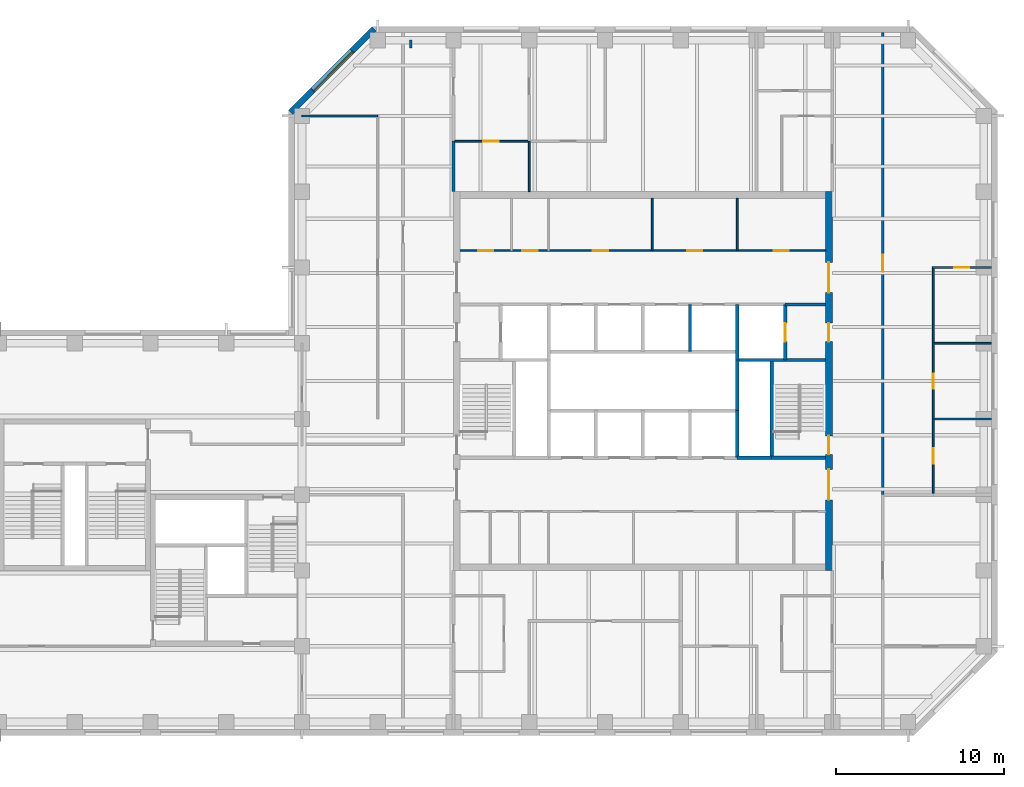
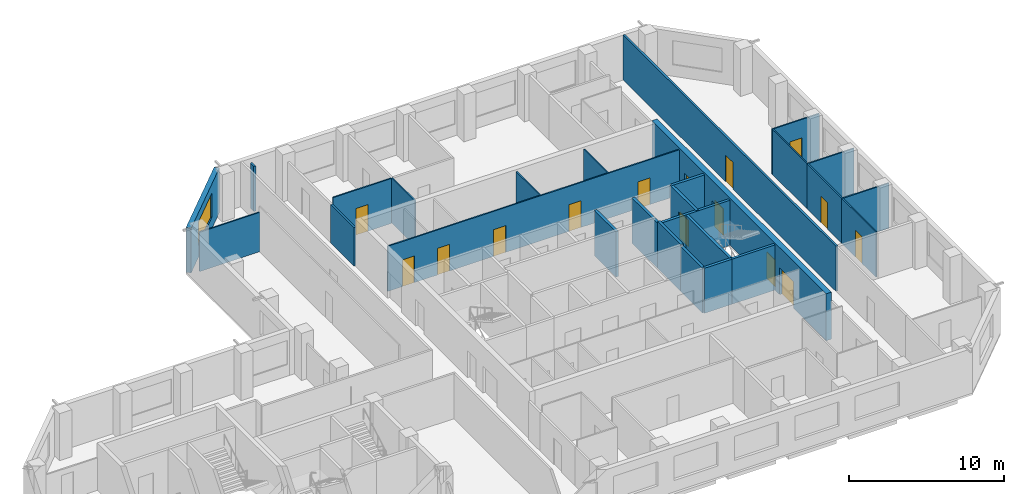
# One storey, part 6 of 9: 27 walls, 15 doors, 1 window, 16 openings.
"""IFC4 building model written with IfcOpenShell, lengths in metres."""

from ifc_helpers import new_model, si_unit, direction, frame, frame_2d, origin, place, context, subcontext, project, spatial, rectangle, extrude, material, layer, layer_set, constituent, constituent_set, type_object, element, fill, save


model = new_model("IFC4")

# Units and contexts
model_context = context("Model", 3, precision=1e-05, world=origin(), true_north=direction((0.0, 1.0)))
body_context = subcontext(model_context, "Body", "Model", "MODEL_VIEW")
ifc_project = project(units=[si_unit("LENGTHUNIT", "METRE"), si_unit("AREAUNIT", "SQUARE_METRE"), si_unit("VOLUMEUNIT", "CUBIC_METRE"), si_unit("PLANEANGLEUNIT", "RADIAN"), si_unit("MASSUNIT", "GRAM", prefix="KILO")], contexts=[model_context])

# Site, building, storey
site_placement = place(None, origin())
site = spatial("IfcSite", under=ifc_project, at=site_placement, CompositionType="ELEMENT")
building_placement = place(site_placement, origin())
building = spatial("IfcBuilding", under=site, at=building_placement, Name="Quoin Convention Tower", CompositionType="ELEMENT")
storey_placement = place(building_placement, frame((0.0, 0.0, 215.60009765625)))
storey = spatial("IfcBuildingStorey", under=building, at=storey_placement, Name="L56", CompositionType="ELEMENT", Elevation=215.60009765625)

# Wall, opening, window
ifc_material_1 = material(Name="Brick masonry", Category="masonry")
ifc_layer_1 = layer(ifc_material_1, 0.35009765625)
ifc_layer_set_1 = layer_set([ifc_layer_1], Name="Brick masonry")
wall_type_1 = type_object("IfcWallType", Name="Brick facade wall", PredefinedType="STANDARD", material=ifc_layer_set_1)
wall_1_placement = place(storey_placement, frame((40.29248046875, 81.67626953125, 0.0), z_axis=(0.0, 0.0, 1.0), x_axis=(-0.707106781187, -0.707106781187, 0.0)))
wall_1 = element("IfcWall", 1, at=wall_1_placement, inside=storey, type_object=wall_type_1, Name="fw-L56-40500_81000", PredefinedType="STANDARD", context=body_context, shape_type="SweptSolid", body=[
    extrude(rectangle(XDim=7.02685546875, YDim=0.35009765625, at=frame_2d((3.513427734375, 0.0))), origin(), (0.0, 0.0, 1.0), 3.52490234375),
])
opening_1_placement = place(wall_1_placement, frame((1.86328125, 0.0, 0.89990234375)))
opening_1 = element("IfcOpeningElement", 2, at=opening_1_placement, cuts=wall_1, Name="Opening W-02", PredefinedType="OPENING", context=body_context, shape_type="SweptSolid", body=[
    extrude(rectangle(XDim=3.300048828125, YDim=1.89990234375, at=frame_2d((1.64990234375, 0.949951171875))), frame((0.0, 0.18505859375, 0.0), z_axis=(0.0, -1.0, 0.0), x_axis=(1.0, 0.0, 0.0)), (0.0, 0.0, 1.0), 0.3701171875),
])
ifc_material_2 = material(Name="Aluminium", Category="aluminium")
ifc_constituent_1 = constituent(ifc_material_2, Name="Frame")
ifc_material_3 = material(Name="Insulated glass", Category="glass")
ifc_constituent_2 = constituent(ifc_material_3, Name="Glazing")
ifc_constituent_set = constituent_set(constituents=[ifc_constituent_1, ifc_constituent_2], Name="Aluminium")
window_type = type_object("IfcWindowType", Name="Office window", PartitioningType="DOUBLE_PANEL_VERTICAL", PredefinedType="WINDOW", material=ifc_constituent_set)
window_placement = place(opening_1_placement, origin())
window = element("IfcWindow", 3, at=window_placement, inside=storey, type_object=window_type, Name="win-L56-37808_79192", OverallHeight=1.89990234375, OverallWidth=3.300048828125, PartitioningType="SINGLE_PANEL", PredefinedType="WINDOW", context=body_context, shape_type="SweptSolid", body=[
    extrude(rectangle(XDim=3.300048828125, YDim=1.89990234375, at=frame_2d((1.64990234375, 0.949951171875))), frame((0.0, 0.0849609375, 0.0), z_axis=(0.0, -1.0, 0.0), x_axis=(1.0, 0.0, 0.0)), (0.0, 0.0, 1.0), 0.06005859375),
])
fill(opening_1, window)

# Wall, openings, doors
ifc_material_4 = material(Name="Plasterboard")
ifc_layer_2 = layer(ifc_material_4, 0.012451171875, Name="Finish")
ifc_material_5 = material(Name="Steel stud framing", Category="steel")
ifc_layer_3 = layer(ifc_material_5, 0.074951171875, Name="Structure")
ifc_layer_4 = layer(ifc_material_4, 0.012451171875, Name="Finish")
ifc_layer_set_2 = layer_set([ifc_layer_2, ifc_layer_3, ifc_layer_4], Name="Steel stud framing")
wall_type_2 = type_object("IfcWallType", Name="Core partition wall", PredefinedType="PARTITIONING", material=ifc_layer_set_2)
wall_2_placement = place(storey_placement, frame((45.39990234375, 68.5, 0.0), z_axis=(0.0, 0.0, 1.0), x_axis=(1.0, 0.0, 0.0)))
wall_2 = element("IfcWall", 4, at=wall_2_placement, inside=storey, type_object=wall_type_2, Name="cr-C1-L56-h19000_400", PredefinedType="PARTITIONING", context=body_context, shape_type="SweptSolid", body=[
    extrude(rectangle(XDim=21.7001953125, YDim=0.10009765625, at=frame_2d((10.85009765625, 0.0))), origin(), (0.0, 0.0, 1.0), 3.5498046875),
])
opening_2_placement = place(wall_2_placement, frame((18.625, 0.0, 0.0)))
opening_2 = element("IfcOpeningElement", 5, at=opening_2_placement, cuts=wall_2, Name="Opening DCV1-12", PredefinedType="OPENING", context=body_context, shape_type="SweptSolid", body=[
    extrude(rectangle(XDim=0.89990234375, YDim=2.10009765625, at=frame_2d((0.449951171875, 1.050048828125))), frame((0.0, 0.06005859375, 0.0), z_axis=(0.0, -1.0, 0.0), x_axis=(1.0, 0.0, 0.0)), (0.0, 0.0, 1.0), 0.1201171875),
])
opening_3_placement = place(wall_2_placement, frame((1.072509765625, 0.0, 0.0)))
opening_3 = element("IfcOpeningElement", 6, at=opening_3_placement, cuts=wall_2, Name="Opening DCV1-05", PredefinedType="OPENING", context=body_context, shape_type="SweptSolid", body=[
    extrude(rectangle(XDim=0.89990234375, YDim=2.10009765625, at=frame_2d((0.449951171875, 1.050048828125))), frame((0.0, 0.06005859375, 0.0), z_axis=(0.0, -1.0, 0.0), x_axis=(1.0, 0.0, 0.0)), (0.0, 0.0, 1.0), 0.1201171875),
])
opening_4_placement = place(wall_2_placement, frame((3.697509765625, 0.0, 0.0)))
opening_4 = element("IfcOpeningElement", 7, at=opening_4_placement, cuts=wall_2, Name="Opening DCV1-06", PredefinedType="OPENING", context=body_context, shape_type="SweptSolid", body=[
    extrude(rectangle(XDim=0.89990234375, YDim=2.10009765625, at=frame_2d((0.449951171875, 1.050048828125))), frame((0.0, 0.06005859375, 0.0), z_axis=(0.0, -1.0, 0.0), x_axis=(1.0, 0.0, 0.0)), (0.0, 0.0, 1.0), 0.1201171875),
])
opening_5_placement = place(wall_2_placement, frame((13.47998046875, 0.0, 0.0)))
opening_5 = element("IfcOpeningElement", 8, at=opening_5_placement, cuts=wall_2, Name="Opening DCV1-10", PredefinedType="OPENING", context=body_context, shape_type="SweptSolid", body=[
    extrude(rectangle(XDim=0.89990234375, YDim=2.10009765625, at=frame_2d((0.449951171875, 1.050048828125))), frame((0.0, 0.06005859375, 0.0), z_axis=(0.0, -1.0, 0.0), x_axis=(1.0, 0.0, 0.0)), (0.0, 0.0, 1.0), 0.1201171875),
])
opening_6_placement = place(wall_2_placement, frame((7.8798828125, 0.0, 0.0)))
opening_6 = element("IfcOpeningElement", 9, at=opening_6_placement, cuts=wall_2, Name="Opening DCV1-08", PredefinedType="OPENING", context=body_context, shape_type="SweptSolid", body=[
    extrude(rectangle(XDim=0.89990234375, YDim=2.10009765625, at=frame_2d((0.449951171875, 1.050048828125))), frame((0.0, 0.06005859375, 0.0), z_axis=(0.0, -1.0, 0.0), x_axis=(1.0, 0.0, 0.0)), (0.0, 0.0, 1.0), 0.1201171875),
])
ifc_material_6 = material(Name="Steel door leaf", Category="steel")
door_type_1 = type_object("IfcDoorType", Name="Core room door 900 x 2100", OperationType="SINGLE_SWING_LEFT", PredefinedType="DOOR", material=ifc_material_6)
door_1_placement = place(opening_2_placement, origin())
door_1 = element("IfcDoor", 10, at=door_1_placement, inside=storey, type_object=door_type_1, Name="cd-C1-L56-CNE0-lobB-CD5607", OperationType="SINGLE_SWING_LEFT", OverallHeight=2.10009765625, OverallWidth=0.89990234375, PredefinedType="DOOR", context=body_context, shape_type="SweptSolid", body=[
    extrude(rectangle(XDim=0.89990234375, YDim=2.10009765625, at=frame_2d((0.449951171875, 1.050048828125))), frame((0.0, 0.02490234375, 0.0), z_axis=(0.0, -1.0, 0.0), x_axis=(1.0, 0.0, 0.0)), (0.0, 0.0, 1.0), 0.050048828125),
])
fill(opening_2, door_1)
door_2_placement = place(opening_3_placement, origin())
door_2 = element("IfcDoor", 11, at=door_2_placement, inside=storey, type_object=door_type_1, Name="cd-C1-L56-CNW0-lobB-CD5608", OperationType="SINGLE_SWING_RIGHT", OverallHeight=2.10009765625, OverallWidth=0.89990234375, PredefinedType="DOOR", context=body_context, shape_type="SweptSolid", body=[
    extrude(rectangle(XDim=0.89990234375, YDim=2.10009765625, at=frame_2d((0.449951171875, 1.050048828125))), frame((0.0, 0.02490234375, 0.0), z_axis=(0.0, -1.0, 0.0), x_axis=(1.0, 0.0, 0.0)), (0.0, 0.0, 1.0), 0.050048828125),
])
fill(opening_3, door_2)
door_3_placement = place(opening_4_placement, origin())
door_3 = element("IfcDoor", 12, at=door_3_placement, inside=storey, type_object=door_type_1, Name="cd-C1-L56-CNW1-lobB-CD5609", OperationType="SINGLE_SWING_RIGHT", OverallHeight=2.10009765625, OverallWidth=0.89990234375, PredefinedType="DOOR", context=body_context, shape_type="SweptSolid", body=[
    extrude(rectangle(XDim=0.89990234375, YDim=2.10009765625, at=frame_2d((0.449951171875, 1.050048828125))), frame((0.0, 0.02490234375, 0.0), z_axis=(0.0, -1.0, 0.0), x_axis=(1.0, 0.0, 0.0)), (0.0, 0.0, 1.0), 0.050048828125),
])
fill(opening_4, door_3)
door_4_placement = place(opening_5_placement, origin())
door_4 = element("IfcDoor", 13, at=door_4_placement, inside=storey, type_object=door_type_1, Name="cd-C1-L56-F40-lobB-CD5617", OperationType="SINGLE_SWING_RIGHT", OverallHeight=2.10009765625, OverallWidth=0.89990234375, PredefinedType="DOOR", context=body_context, shape_type="SweptSolid", body=[
    extrude(rectangle(XDim=0.89990234375, YDim=2.10009765625, at=frame_2d((0.449951171875, 1.050048828125))), frame((0.0, 0.02490234375, 0.0), z_axis=(0.0, -1.0, 0.0), x_axis=(1.0, 0.0, 0.0)), (0.0, 0.0, 1.0), 0.050048828125),
])
fill(opening_5, door_4)
door_5_placement = place(opening_6_placement, origin())
door_5 = element("IfcDoor", 14, at=door_5_placement, inside=storey, type_object=door_type_1, Name="cd-C1-L56-F41-lobB-CD5618", OperationType="SINGLE_SWING_RIGHT", OverallHeight=2.10009765625, OverallWidth=0.89990234375, PredefinedType="DOOR", context=body_context, shape_type="SweptSolid", body=[
    extrude(rectangle(XDim=0.89990234375, YDim=2.10009765625, at=frame_2d((0.449951171875, 1.050048828125))), frame((0.0, 0.02490234375, 0.0), z_axis=(0.0, -1.0, 0.0), x_axis=(1.0, 0.0, 0.0)), (0.0, 0.0, 1.0), 0.050048828125),
])
fill(opening_6, door_5)

# Walls
for number, where, z_axis, x_axis, name in (
    (15, (56.81005859375, 68.5, 0.0), (0.0, 0.0, 1.0), (0.0, 1.0, 0.0), "cr-C1-L56-v11810_19000"),
    (16, (61.85009765625, 68.5, 0.0), (0.0, 0.0, 1.0), (0.0, 1.0, 0.0), "cr-C1-L56-v16850_19000"),
):
    element("IfcWall", number, at=place(storey_placement, frame(where, z_axis=z_axis, x_axis=x_axis)), inside=storey, type_object=wall_type_2, Name=name, PredefinedType="PARTITIONING", context=body_context, shape_type="SweptSolid", body=[
        extrude(rectangle(XDim=3.10009765625, YDim=0.10009765625, at=frame_2d((1.550048828125, 0.0))), origin(), (0.0, 0.0, 1.0), 3.5498046875),
    ])
ifc_material_7 = material(Name="Concrete C50", Category="concrete")
ifc_layer_5 = layer(ifc_material_7, 0.199951171875)
ifc_layer_set_3 = layer_set([ifc_layer_5], Name="Concrete C50")
wall_type_3 = type_object("IfcWallType", Name="Core shaft wall", PredefinedType="SOLIDWALL", material=ifc_layer_set_3)
wall_3_placement = place(storey_placement, frame((61.85009765625, 56.199951171875, 0.0), z_axis=(0.0, 0.0, 1.0), x_axis=(1.0, 0.0, 0.0)))
element("IfcWall", 17, at=wall_3_placement, inside=storey, type_object=wall_type_3, Name="cr-C1-L56-h6700_16850", PredefinedType="SOLIDWALL", context=body_context, shape_type="SweptSolid", body=[
    extrude(rectangle(XDim=2.0498046875, YDim=0.199951171875, at=frame_2d((1.02490234375, 0.0))), origin(), (0.0, 0.0, 1.0), 3.5498046875),
])
wall_4_placement = place(storey_placement, frame((63.89990234375, 56.199951171875, 0.0), z_axis=(0.0, 0.0, 1.0), x_axis=(1.0, 0.0, 0.0)))
element("IfcWall", 18, at=wall_4_placement, inside=storey, type_object=wall_type_3, Name="cr-C1-L56-h6700_18900", PredefinedType="SOLIDWALL", context=body_context, shape_type="SweptSolid", body=[
    extrude(rectangle(XDim=3.2001953125, YDim=0.199951171875, at=frame_2d((1.60009765625, 0.0))), origin(), (0.0, 0.0, 1.0), 3.5498046875),
])
wall_5_placement = place(storey_placement, frame((61.85009765625, 62.0, 0.0), z_axis=(0.0, 0.0, 1.0), x_axis=(1.0, 0.0, 0.0)))
element("IfcWall", 19, at=wall_5_placement, inside=storey, type_object=wall_type_3, Name="cr-C1-L56-h12500_16850", PredefinedType="SOLIDWALL", context=body_context, shape_type="SweptSolid", body=[
    extrude(rectangle(XDim=5.25, YDim=0.199951171875, at=frame_2d((2.625, 0.0))), origin(), (0.0, 0.0, 1.0), 3.5498046875),
])
wall_6_placement = place(storey_placement, frame((64.699951171875, 65.300048828125, 0.0), z_axis=(0.0, 0.0, 1.0), x_axis=(1.0, 0.0, 0.0)))
element("IfcWall", 20, at=wall_6_placement, inside=storey, type_object=wall_type_3, Name="cr-C1-L56-h15800_19700", PredefinedType="SOLIDWALL", context=body_context, shape_type="SweptSolid", body=[
    extrude(rectangle(XDim=2.400146484375, YDim=0.199951171875, at=frame_2d((1.2001953125, 0.0))), origin(), (0.0, 0.0, 1.0), 3.5498046875),
])
for number, where, z_axis, x_axis, name in (
    (21, (59.050048828125, 62.5, 0.0), (0.0, 0.0, 1.0), (0.0, 1.0, 0.0), "cr-C1-L56-v14050_13000"),
    (22, (61.85009765625, 56.199951171875, 0.0), (0.0, 0.0, 1.0), (0.0, 1.0, 0.0), "cr-C1-L56-v16850_6700"),
):
    element("IfcWall", number, at=place(storey_placement, frame(where, z_axis=z_axis, x_axis=x_axis)), inside=storey, type_object=wall_type_3, Name=name, PredefinedType="SOLIDWALL", context=body_context, shape_type="SweptSolid", body=[
        extrude(rectangle(XDim=2.800048828125, YDim=0.199951171875, at=frame_2d((1.39990234375, 0.0))), origin(), (0.0, 0.0, 1.0), 3.5498046875),
    ])
wall_7_placement = place(storey_placement, frame((61.85009765625, 62.0, 0.0), z_axis=(0.0, 0.0, 1.0), x_axis=(0.0, 1.0, 0.0)))
element("IfcWall", 23, at=wall_7_placement, inside=storey, type_object=wall_type_3, Name="cr-C1-L56-v16850_12500", PredefinedType="SOLIDWALL", context=body_context, shape_type="SweptSolid", body=[
    extrude(rectangle(XDim=3.300048828125, YDim=0.199951171875, at=frame_2d((1.64990234375, 0.0))), origin(), (0.0, 0.0, 1.0), 3.5498046875),
])
wall_8_placement = place(storey_placement, frame((63.89990234375, 56.199951171875, 0.0), z_axis=(0.0, 0.0, 1.0), x_axis=(0.0, 1.0, 0.0)))
element("IfcWall", 24, at=wall_8_placement, inside=storey, type_object=wall_type_3, Name="cr-C1-L56-v18900_6700", PredefinedType="SOLIDWALL", context=body_context, shape_type="SweptSolid", body=[
    extrude(rectangle(XDim=5.800048828125, YDim=0.199951171875, at=frame_2d((2.89990234375, 0.0))), origin(), (0.0, 0.0, 1.0), 3.5498046875),
])

# Wall, opening, door
wall_9_placement = place(storey_placement, frame((64.699951171875, 62.0, 0.0), z_axis=(0.0, 0.0, 1.0), x_axis=(0.0, 1.0, 0.0)))
wall_9 = element("IfcWall", 25, at=wall_9_placement, inside=storey, type_object=wall_type_3, Name="cr-C1-L56-v19700_12500", PredefinedType="SOLIDWALL", context=body_context, shape_type="SweptSolid", body=[
    extrude(rectangle(XDim=3.300048828125, YDim=0.199951171875, at=frame_2d((1.64990234375, 0.0))), origin(), (0.0, 0.0, 1.0), 3.5498046875),
])
opening_7_placement = place(wall_9_placement, frame((1.10009765625, 0.0, 0.0)))
opening_7 = element("IfcOpeningElement", 26, at=opening_7_placement, cuts=wall_9, Name="Opening LDFL2", PredefinedType="OPENING", context=body_context, shape_type="SweptSolid", body=[
    extrude(rectangle(XDim=1.10009765625, YDim=2.10009765625, at=frame_2d((0.550048828125, 1.050048828125))), frame((0.0, 0.10986328125, 0.0), z_axis=(0.0, -1.0, 0.0), x_axis=(1.0, 0.0, 0.0)), (0.0, 0.0, 1.0), 0.219970703125),
])
door_type_2 = type_object("IfcDoorType", Name="Lift landing door 1100 x 2100", OperationType="DOUBLE_DOOR_SLIDING", PredefinedType="DOOR", material=ifc_material_6)
door_6_placement = place(opening_7_placement, origin())
door_6 = element("IfcDoor", 27, at=door_6_placement, inside=storey, type_object=door_type_2, Name="cd-C1-L56-FLE-FFE-LDFL2", OperationType="DOUBLE_DOOR_SLIDING", OverallHeight=2.10009765625, OverallWidth=1.10009765625, PredefinedType="DOOR", context=body_context, shape_type="SweptSolid", body=[
    extrude(rectangle(XDim=1.10009765625, YDim=2.10009765625, at=frame_2d((0.550048828125, 1.050048828125))), frame((0.0, 0.02490234375, 0.0), z_axis=(0.0, -1.0, 0.0), x_axis=(1.0, 0.0, 0.0)), (0.0, 0.0, 1.0), 0.050048828125),
])
fill(opening_7, door_6)

# Wall
ifc_layer_6 = layer(ifc_material_7, 0.199951171875)
ifc_layer_set_4 = layer_set([ifc_layer_6], Name="Concrete C50")
wall_type_4 = type_object("IfcWallType", Name="Core shaft wall to the floor level over", PredefinedType="SOLIDWALL", material=ifc_layer_set_4)
wall_10_placement = place(storey_placement, frame((61.85009765625, 59.0, 0.0), z_axis=(0.0, 0.0, 1.0), x_axis=(0.0, 1.0, 0.0)))
element("IfcWall", 28, at=wall_10_placement, inside=storey, type_object=wall_type_4, Name="cr-C1-L56-v16850_9500", PredefinedType="SOLIDWALL", context=body_context, shape_type="SweptSolid", body=[
    extrude(rectangle(XDim=3.0, YDim=0.199951171875, at=frame_2d((1.5, 0.0))), origin(), (0.0, 0.0, 1.0), 3.699951171875),
])

# Wall, opening, door
ifc_layer_7 = layer(ifc_material_4, 0.012451171875, Name="Finish")
ifc_layer_8 = layer(ifc_material_5, 0.125, Name="Structure")
ifc_layer_9 = layer(ifc_material_4, 0.012451171875, Name="Finish")
ifc_layer_set_5 = layer_set([ifc_layer_7, ifc_layer_8, ifc_layer_9], Name="Steel stud framing")
wall_type_5 = type_object("IfcWallType", Name="Corridor wall 150", PredefinedType="PARTITIONING", material=ifc_layer_set_5)
wall_11_placement = place(storey_placement, frame((70.5, 54.0, 0.0), z_axis=(0.0, 0.0, 1.0), x_axis=(0.0, 1.0, 0.0)))
wall_11 = element("IfcWall", 29, at=wall_11_placement, inside=storey, type_object=wall_type_5, Name="pw-L56-048", PredefinedType="PARTITIONING", context=body_context, shape_type="SweptSolid", body=[
    extrude(rectangle(XDim=27.449951171875, YDim=0.14990234375, at=frame_2d((13.72509765625, 0.0))), origin(), (0.0, 0.0, 1.0), 3.5498046875),
])
opening_8_placement = place(wall_11_placement, frame((13.25, 0.0, 0.0)))
opening_8 = element("IfcOpeningElement", 30, at=opening_8_placement, cuts=wall_11, Name="Opening DOH9-15", PredefinedType="OPENING", context=body_context, shape_type="SweptSolid", body=[
    extrude(rectangle(XDim=1.0, YDim=2.10009765625, at=frame_2d((0.5, 1.050048828125))), frame((0.0, 0.0849609375, 0.0), z_axis=(0.0, -1.0, 0.0), x_axis=(1.0, 0.0, 0.0)), (0.0, 0.0, 1.0), 0.169921875),
])
door_type_3 = type_object("IfcDoorType", Name="Tenancy entrance door 1000 x 2100", OperationType="DOUBLE_DOOR_SINGLE_SWING", PredefinedType="DOOR", material=ifc_material_6)
door_7_placement = place(opening_8_placement, frame((1.0, 0.0, 0.0), z_axis=(0.0, 0.0, 1.0), x_axis=(-1.0, 0.0, 0.0)))
door_7 = element("IfcDoor", 31, at=door_7_placement, inside=storey, type_object=door_type_3, Name="dr-L56-22", OperationType="DOUBLE_DOOR_SINGLE_SWING", OverallHeight=2.10009765625, OverallWidth=1.0, PredefinedType="DOOR", context=body_context, shape_type="SweptSolid", body=[
    extrude(rectangle(XDim=1.0, YDim=2.10009765625, at=frame_2d((0.5, 1.050048828125))), frame((0.0, 0.02490234375, 0.0), z_axis=(0.0, -1.0, 0.0), x_axis=(1.0, 0.0, 0.0)), (0.0, 0.0, 1.0), 0.050048828125),
])
fill(opening_8, door_7)

# Walls
wall_12_placement = place(storey_placement, frame((42.469970703125, 80.550048828125, 0.0), z_axis=(0.0, 0.0, 1.0), x_axis=(0.0, 1.0, 0.0)))
element("IfcWall", 32, at=wall_12_placement, inside=storey, type_object=wall_type_5, Name="pw-L56-w06", PredefinedType="PARTITIONING", context=body_context, shape_type="SweptSolid", body=[
    extrude(rectangle(XDim=0.449951171875, YDim=0.14990234375, at=frame_2d((0.22509765625, 0.0))), origin(), (0.0, 0.0, 1.0), 3.5498046875),
])
ifc_layer_10 = layer(ifc_material_4, 0.012451171875, Name="Finish")
ifc_layer_11 = layer(ifc_material_5, 0.125, Name="Structure")
ifc_layer_12 = layer(ifc_material_4, 0.012451171875, Name="Finish")
ifc_layer_set_6 = layer_set([ifc_layer_10, ifc_layer_11, ifc_layer_12], Name="Steel stud framing")
wall_type_6 = type_object("IfcWallType", Name="Corridor wall 150 under beam 528", PredefinedType="PARTITIONING", material=ifc_layer_set_6)
wall_13_placement = place(storey_placement, frame((45.0, 72.0, 0.0), z_axis=(0.0, 0.0, 1.0), x_axis=(0.0, 1.0, 0.0)))
element("IfcWall", 33, at=wall_13_placement, inside=storey, type_object=wall_type_6, Name="pw-L56-055", PredefinedType="PARTITIONING", context=body_context, shape_type="SweptSolid", body=[
    extrude(rectangle(XDim=3.0, YDim=0.14990234375, at=frame_2d((1.5, 0.0))), origin(), (0.0, 0.0, 1.0), 3.02197265625),
])

# Wall, openings, doors
ifc_layer_13 = layer(ifc_material_7, 0.39990234375)
ifc_layer_set_7 = layer_set([ifc_layer_13], Name="Concrete C50")
wall_type_7 = type_object("IfcWallType", Name="RC CORE WALL 400 C50", PredefinedType="SHEAR", material=ifc_layer_set_7)
wall_14_placement = place(storey_placement, frame((67.300048828125, 49.5, 0.0), z_axis=(0.0, 0.0, 1.0), x_axis=(0.0, 1.0, 0.0)))
wall_14 = element("IfcWall", 34, at=wall_14_placement, inside=storey, type_object=wall_type_7, Name="cwl-C1-L56-E", PredefinedType="SHEAR", context=body_context, shape_type="SweptSolid", body=[
    extrude(rectangle(XDim=22.5, YDim=0.39990234375, at=frame_2d((11.25, 0.0))), origin(), (0.0, 0.0, 1.0), 3.699951171875),
])
opening_9_placement = place(wall_14_placement, frame((4.199951171875, 0.0, 0.0)))
opening_9 = element("IfcOpeningElement", 35, at=opening_9_placement, cuts=wall_14, Name="Opening DCV1-47", PredefinedType="OPENING", context=body_context, shape_type="SweptSolid", body=[
    extrude(rectangle(XDim=1.800048828125, YDim=2.10009765625, at=frame_2d((0.89990234375, 1.050048828125))), frame((0.0, 0.2099609375, 0.0), z_axis=(0.0, -1.0, 0.0), x_axis=(1.0, 0.0, 0.0)), (0.0, 0.0, 1.0), 0.419921875),
])
opening_10_placement = place(wall_14_placement, frame((6.89990234375, 0.0, 0.0)))
opening_10 = element("IfcOpeningElement", 36, at=opening_10_placement, cuts=wall_14, Name="Opening SD2", PredefinedType="OPENING", context=body_context, shape_type="SweptSolid", body=[
    extrude(rectangle(XDim=1.10009765625, YDim=2.10009765625, at=frame_2d((0.550048828125, 1.050048828125))), frame((0.0, 0.2099609375, 0.0), z_axis=(0.0, -1.0, 0.0), x_axis=(1.0, 0.0, 0.0)), (0.0, 0.0, 1.0), 0.419921875),
])
opening_11_placement = place(wall_14_placement, frame((13.60009765625, 0.0, 0.0)))
opening_11 = element("IfcOpeningElement", 37, at=opening_11_placement, cuts=wall_14, Name="Opening DCV1-46", PredefinedType="OPENING", context=body_context, shape_type="SweptSolid", body=[
    extrude(rectangle(XDim=1.10009765625, YDim=2.10009765625, at=frame_2d((0.550048828125, 1.050048828125))), frame((0.0, 0.2099609375, 0.0), z_axis=(0.0, -1.0, 0.0), x_axis=(1.0, 0.0, 0.0)), (0.0, 0.0, 1.0), 0.419921875),
])
opening_12_placement = place(wall_14_placement, frame((16.5, 0.0, 0.0)))
opening_12 = element("IfcOpeningElement", 38, at=opening_12_placement, cuts=wall_14, Name="Opening DCV1-47", PredefinedType="OPENING", context=body_context, shape_type="SweptSolid", body=[
    extrude(rectangle(XDim=1.800048828125, YDim=2.10009765625, at=frame_2d((0.89990234375, 1.050048828125))), frame((0.0, 0.2099609375, 0.0), z_axis=(0.0, -1.0, 0.0), x_axis=(1.0, 0.0, 0.0)), (0.0, 0.0, 1.0), 0.419921875),
])
door_type_4 = type_object("IfcDoorType", Name="Fire-fighting lobby door 1100 x 2100", OperationType="SINGLE_SWING_LEFT", PredefinedType="DOOR", material=ifc_material_6)
door_8_placement = place(opening_11_placement, origin())
door_8 = element("IfcDoor", 39, at=door_8_placement, inside=storey, type_object=door_type_4, Name="cd-C1-L56-FFE-E", OperationType="SINGLE_SWING_RIGHT", OverallHeight=2.10009765625, OverallWidth=1.10009765625, PredefinedType="DOOR", context=body_context, shape_type="SweptSolid", body=[
    extrude(rectangle(XDim=1.10009765625, YDim=2.10009765625, at=frame_2d((0.550048828125, 1.050048828125))), frame((0.0, 0.02490234375, 0.0), z_axis=(0.0, -1.0, 0.0), x_axis=(1.0, 0.0, 0.0)), (0.0, 0.0, 1.0), 0.050048828125),
])
fill(opening_11, door_8)
door_type_5 = type_object("IfcDoorType", Name="Lift lobby door 1800 x 2100", OperationType="SINGLE_SWING_LEFT", PredefinedType="DOOR", material=ifc_material_6)
door_9_placement = place(opening_9_placement, origin())
door_9 = element("IfcDoor", 40, at=door_9_placement, inside=storey, type_object=door_type_5, Name="cd-C1-L56-lobA-E", OperationType="SINGLE_SWING_RIGHT", OverallHeight=2.10009765625, OverallWidth=1.800048828125, PredefinedType="DOOR", context=body_context, shape_type="SweptSolid", body=[
    extrude(rectangle(XDim=1.800048828125, YDim=2.10009765625, at=frame_2d((0.89990234375, 1.050048828125))), frame((0.0, 0.02490234375, 0.0), z_axis=(0.0, -1.0, 0.0), x_axis=(1.0, 0.0, 0.0)), (0.0, 0.0, 1.0), 0.050048828125),
])
fill(opening_9, door_9)
door_10_placement = place(opening_12_placement, origin())
door_10 = element("IfcDoor", 41, at=door_10_placement, inside=storey, type_object=door_type_5, Name="cd-C1-L56-lobB-E", OperationType="SINGLE_SWING_RIGHT", OverallHeight=2.10009765625, OverallWidth=1.800048828125, PredefinedType="DOOR", context=body_context, shape_type="SweptSolid", body=[
    extrude(rectangle(XDim=1.800048828125, YDim=2.10009765625, at=frame_2d((0.89990234375, 1.050048828125))), frame((0.0, 0.02490234375, 0.0), z_axis=(0.0, -1.0, 0.0), x_axis=(1.0, 0.0, 0.0)), (0.0, 0.0, 1.0), 0.050048828125),
])
fill(opening_12, door_10)
door_type_6 = type_object("IfcDoorType", Name="Stair door 1100 x 2100", OperationType="SINGLE_SWING_RIGHT", PredefinedType="DOOR", material=ifc_material_6)
door_11_placement = place(opening_10_placement, origin())
door_11 = element("IfcDoor", 42, at=door_11_placement, inside=storey, type_object=door_type_6, Name="cd-C1-L56-STE-E", OperationType="SINGLE_SWING_LEFT", OverallHeight=2.10009765625, OverallWidth=1.10009765625, PredefinedType="DOOR", context=body_context, shape_type="SweptSolid", body=[
    extrude(rectangle(XDim=1.10009765625, YDim=2.10009765625, at=frame_2d((0.550048828125, 1.050048828125))), frame((0.0, 0.02490234375, 0.0), z_axis=(0.0, -1.0, 0.0), x_axis=(1.0, 0.0, 0.0)), (0.0, 0.0, 1.0), 0.050048828125),
])
fill(opening_10, door_11)

# Walls
ifc_layer_14 = layer(ifc_material_4, 0.012451171875, Name="Finish")
ifc_layer_15 = layer(ifc_material_5, 0.074951171875, Name="Structure")
ifc_layer_16 = layer(ifc_material_4, 0.012451171875, Name="Finish")
ifc_layer_set_8 = layer_set([ifc_layer_14, ifc_layer_15, ifc_layer_16], Name="Steel stud framing")
wall_type_8 = type_object("IfcWallType", Name="Stud partition 100", PredefinedType="PARTITIONING", material=ifc_layer_set_8)
for number, where, z_axis, x_axis, name in (
    (43, (73.550048828125, 58.5, 0.0), (0.0, 0.0, 1.0), (1.0, 0.0, 0.0), "pw-L56-017"),
    (44, (73.550048828125, 63.0, 0.0), (0.0, 0.0, 1.0), (1.0, 0.0, 0.0), "pw-L56-019"),
):
    element("IfcWall", number, at=place(storey_placement, frame(where, z_axis=z_axis, x_axis=x_axis)), inside=storey, type_object=wall_type_8, Name=name, PredefinedType="PARTITIONING", context=body_context, shape_type="SweptSolid", body=[
        extrude(rectangle(XDim=3.39990234375, YDim=0.10009765625, at=frame_2d((1.699951171875, 0.0))), origin(), (0.0, 0.0, 1.0), 3.5498046875),
    ])

# Wall, opening, door
wall_15_placement = place(storey_placement, frame((73.449951171875, 67.5, 0.0), z_axis=(0.0, 0.0, 1.0), x_axis=(1.0, 0.0, 0.0)))
wall_15 = element("IfcWall", 45, at=wall_15_placement, inside=storey, type_object=wall_type_8, Name="pw-L56-020", PredefinedType="PARTITIONING", context=body_context, shape_type="SweptSolid", body=[
    extrude(rectangle(XDim=3.5, YDim=0.10009765625, at=frame_2d((1.75, 0.0))), origin(), (0.0, 0.0, 1.0), 3.5498046875),
])
opening_13_placement = place(wall_15_placement, frame((1.300048828125, 0.0, 0.0)))
opening_13 = element("IfcOpeningElement", 46, at=opening_13_placement, cuts=wall_15, Name="Opening DOH9-04", PredefinedType="OPENING", context=body_context, shape_type="SweptSolid", body=[
    extrude(rectangle(XDim=0.89990234375, YDim=2.10009765625, at=frame_2d((0.449951171875, 1.050048828125))), frame((0.0, 0.06005859375, 0.0), z_axis=(0.0, -1.0, 0.0), x_axis=(1.0, 0.0, 0.0)), (0.0, 0.0, 1.0), 0.1201171875),
])
door_type_7 = type_object("IfcDoorType", Name="Office door 900 x 2100", OperationType="SINGLE_SWING_RIGHT", PredefinedType="DOOR", material=ifc_material_6)
door_12_placement = place(opening_13_placement, origin())
door_12 = element("IfcDoor", 47, at=door_12_placement, inside=storey, type_object=door_type_7, Name="dr-L56-25", OperationType="SINGLE_SWING_RIGHT", OverallHeight=2.10009765625, OverallWidth=0.89990234375, PredefinedType="DOOR", context=body_context, shape_type="SweptSolid", body=[
    extrude(rectangle(XDim=0.89990234375, YDim=2.10009765625, at=frame_2d((0.449951171875, 1.050048828125))), frame((0.0, 0.02490234375, 0.0), z_axis=(0.0, -1.0, 0.0), x_axis=(1.0, 0.0, 0.0)), (0.0, 0.0, 1.0), 0.050048828125),
])
fill(opening_13, door_12)

wall_16_placement = place(storey_placement, frame((45.074951171875, 75.0, 0.0), z_axis=(0.0, 0.0, 1.0), x_axis=(1.0, 0.0, 0.0)))
wall_16 = element("IfcWall", 48, at=wall_16_placement, inside=storey, type_object=wall_type_8, Name="pw-L56-021", PredefinedType="PARTITIONING", context=body_context, shape_type="SweptSolid", body=[
    extrude(rectangle(XDim=4.35009765625, YDim=0.10009765625, at=frame_2d((2.175048828125, 0.0))), origin(), (0.0, 0.0, 1.0), 3.5498046875),
])
opening_14_placement = place(wall_16_placement, frame((1.699951171875, 0.0, 0.0)))
opening_14 = element("IfcOpeningElement", 49, at=opening_14_placement, cuts=wall_16, Name="Opening DOH9-05", PredefinedType="OPENING", context=body_context, shape_type="SweptSolid", body=[
    extrude(rectangle(XDim=0.89990234375, YDim=2.10009765625, at=frame_2d((0.449951171875, 1.050048828125))), frame((0.0, 0.06005859375, 0.0), z_axis=(0.0, -1.0, 0.0), x_axis=(1.0, 0.0, 0.0)), (0.0, 0.0, 1.0), 0.1201171875),
])
door_13_placement = place(opening_14_placement, frame((0.89990234375, 0.0, 0.0), z_axis=(0.0, 0.0, 1.0), x_axis=(-1.0, 0.0, 0.0)))
door_13 = element("IfcDoor", 50, at=door_13_placement, inside=storey, type_object=door_type_7, Name="dr-L56-15", OperationType="SINGLE_SWING_LEFT", OverallHeight=2.10009765625, OverallWidth=0.89990234375, PredefinedType="DOOR", context=body_context, shape_type="SweptSolid", body=[
    extrude(rectangle(XDim=0.89990234375, YDim=2.10009765625, at=frame_2d((0.449951171875, 1.050048828125))), frame((0.0, 0.02490234375, 0.0), z_axis=(0.0, -1.0, 0.0), x_axis=(1.0, 0.0, 0.0)), (0.0, 0.0, 1.0), 0.050048828125),
])
fill(opening_14, door_13)

wall_17_placement = place(storey_placement, frame((73.5, 54.10009765625, 0.0), z_axis=(0.0, 0.0, 1.0), x_axis=(0.0, 1.0, 0.0)))
wall_17 = element("IfcWall", 51, at=wall_17_placement, inside=storey, type_object=wall_type_8, Name="pw-L56-049", PredefinedType="PARTITIONING", context=body_context, shape_type="SweptSolid", body=[
    extrude(rectangle(XDim=4.39990234375, YDim=0.10009765625, at=frame_2d((2.199951171875, 0.0))), origin(), (0.0, 0.0, 1.0), 3.5498046875),
])
opening_15_placement = place(wall_17_placement, frame((1.75, 0.0, 0.0)))
opening_15 = element("IfcOpeningElement", 52, at=opening_15_placement, cuts=wall_17, Name="Opening DOH9-16", PredefinedType="OPENING", context=body_context, shape_type="SweptSolid", body=[
    extrude(rectangle(XDim=0.89990234375, YDim=2.10009765625, at=frame_2d((0.449951171875, 1.050048828125))), frame((0.0, 0.06005859375, 0.0), z_axis=(0.0, -1.0, 0.0), x_axis=(1.0, 0.0, 0.0)), (0.0, 0.0, 1.0), 0.1201171875),
])
door_14_placement = place(opening_15_placement, origin())
door_14 = element("IfcDoor", 53, at=door_14_placement, inside=storey, type_object=door_type_7, Name="dr-L56-23", OperationType="SINGLE_SWING_RIGHT", OverallHeight=2.10009765625, OverallWidth=0.89990234375, PredefinedType="DOOR", context=body_context, shape_type="SweptSolid", body=[
    extrude(rectangle(XDim=0.89990234375, YDim=2.10009765625, at=frame_2d((0.449951171875, 1.050048828125))), frame((0.0, 0.02490234375, 0.0), z_axis=(0.0, -1.0, 0.0), x_axis=(1.0, 0.0, 0.0)), (0.0, 0.0, 1.0), 0.050048828125),
])
fill(opening_15, door_14)

wall_18_placement = place(storey_placement, frame((73.5, 58.5, 0.0), z_axis=(0.0, 0.0, 1.0), x_axis=(0.0, 1.0, 0.0)))
wall_18 = element("IfcWall", 54, at=wall_18_placement, inside=storey, type_object=wall_type_8, Name="pw-L56-051", PredefinedType="PARTITIONING", context=body_context, shape_type="SweptSolid", body=[
    extrude(rectangle(XDim=4.5, YDim=0.10009765625, at=frame_2d((2.25, 0.0))), origin(), (0.0, 0.0, 1.0), 3.5498046875),
])
opening_16_placement = place(wall_18_placement, frame((1.800048828125, 0.0, 0.0)))
opening_16 = element("IfcOpeningElement", 55, at=opening_16_placement, cuts=wall_18, Name="Opening DOH9-18", PredefinedType="OPENING", context=body_context, shape_type="SweptSolid", body=[
    extrude(rectangle(XDim=0.89990234375, YDim=2.10009765625, at=frame_2d((0.449951171875, 1.050048828125))), frame((0.0, 0.06005859375, 0.0), z_axis=(0.0, -1.0, 0.0), x_axis=(1.0, 0.0, 0.0)), (0.0, 0.0, 1.0), 0.1201171875),
])
door_15_placement = place(opening_16_placement, origin())
door_15 = element("IfcDoor", 56, at=door_15_placement, inside=storey, type_object=door_type_7, Name="dr-L56-24", OperationType="SINGLE_SWING_RIGHT", OverallHeight=2.10009765625, OverallWidth=0.89990234375, PredefinedType="DOOR", context=body_context, shape_type="SweptSolid", body=[
    extrude(rectangle(XDim=0.89990234375, YDim=2.10009765625, at=frame_2d((0.449951171875, 1.050048828125))), frame((0.0, 0.02490234375, 0.0), z_axis=(0.0, -1.0, 0.0), x_axis=(1.0, 0.0, 0.0)), (0.0, 0.0, 1.0), 0.050048828125),
])
fill(opening_16, door_15)

# Walls
wall_19_placement = place(storey_placement, frame((73.5, 63.0, 0.0), z_axis=(0.0, 0.0, 1.0), x_axis=(0.0, 1.0, 0.0)))
element("IfcWall", 57, at=wall_19_placement, inside=storey, type_object=wall_type_8, Name="pw-L56-054", PredefinedType="PARTITIONING", context=body_context, shape_type="SweptSolid", body=[
    extrude(rectangle(XDim=4.449951171875, YDim=0.10009765625, at=frame_2d((2.22509765625, 0.0))), origin(), (0.0, 0.0, 1.0), 3.5498046875),
])
wall_20_placement = place(storey_placement, frame((49.5, 72.0, 0.0), z_axis=(0.0, 0.0, 1.0), x_axis=(0.0, 1.0, 0.0)))
element("IfcWall", 58, at=wall_20_placement, inside=storey, type_object=wall_type_8, Name="pw-L56-056", PredefinedType="PARTITIONING", context=body_context, shape_type="SweptSolid", body=[
    extrude(rectangle(XDim=3.0, YDim=0.10009765625, at=frame_2d((1.5, 0.0))), origin(), (0.0, 0.0, 1.0), 3.5498046875),
])
ifc_layer_17 = layer(ifc_material_4, 0.012451171875, Name="Finish")
ifc_layer_18 = layer(ifc_material_5, 0.074951171875, Name="Structure")
ifc_layer_19 = layer(ifc_material_4, 0.012451171875, Name="Finish")
ifc_layer_set_9 = layer_set([ifc_layer_17, ifc_layer_18, ifc_layer_19], Name="Steel stud framing")
wall_type_9 = type_object("IfcWallType", Name="Stud partition 100 under beam 454", PredefinedType="PARTITIONING", material=ifc_layer_set_9)
wall_21_placement = place(storey_placement, frame((36.0, 76.5, 0.0), z_axis=(0.0, 0.0, 1.0), x_axis=(1.0, 0.0, 0.0)))
element("IfcWall", 59, at=wall_21_placement, inside=storey, type_object=wall_type_9, Name="pw-L56-w01", PredefinedType="PARTITIONING", context=body_context, shape_type="SweptSolid", body=[
    extrude(rectangle(XDim=4.5, YDim=0.10009765625, at=frame_2d((2.25, 0.0))), origin(), (0.0, 0.0, 1.0), 3.095947265625),
])

save(model, "model.ifc")
